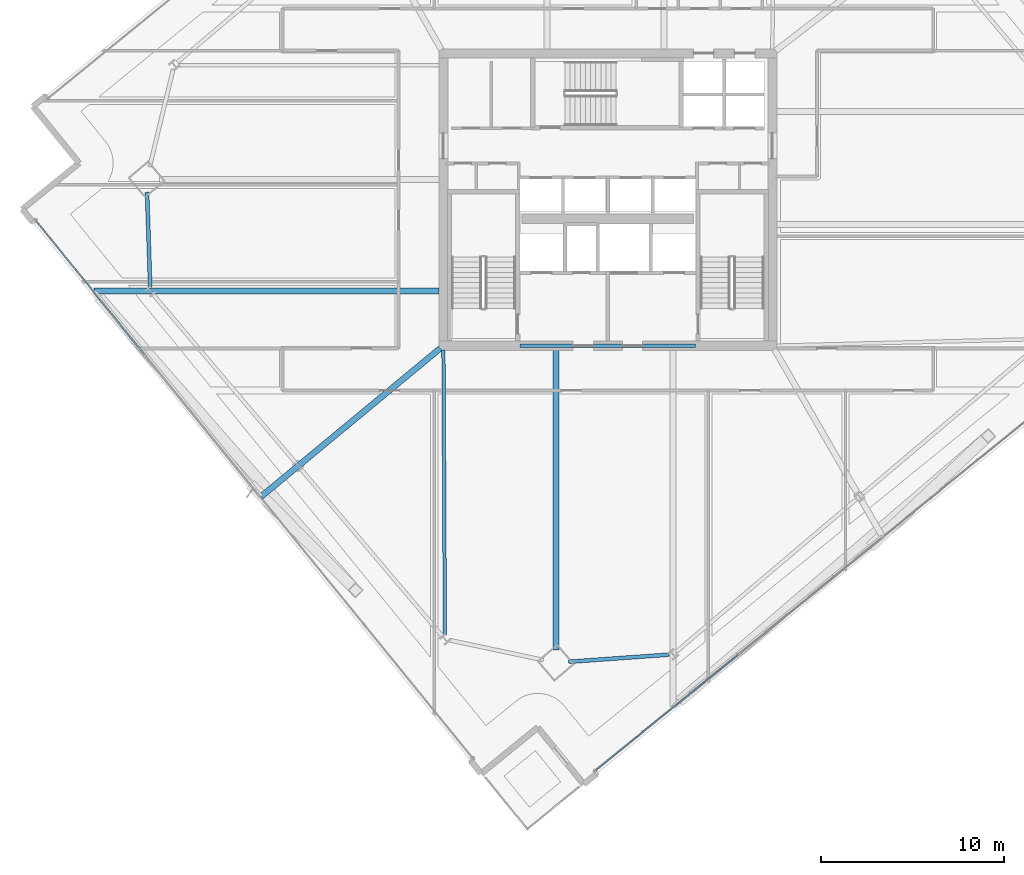
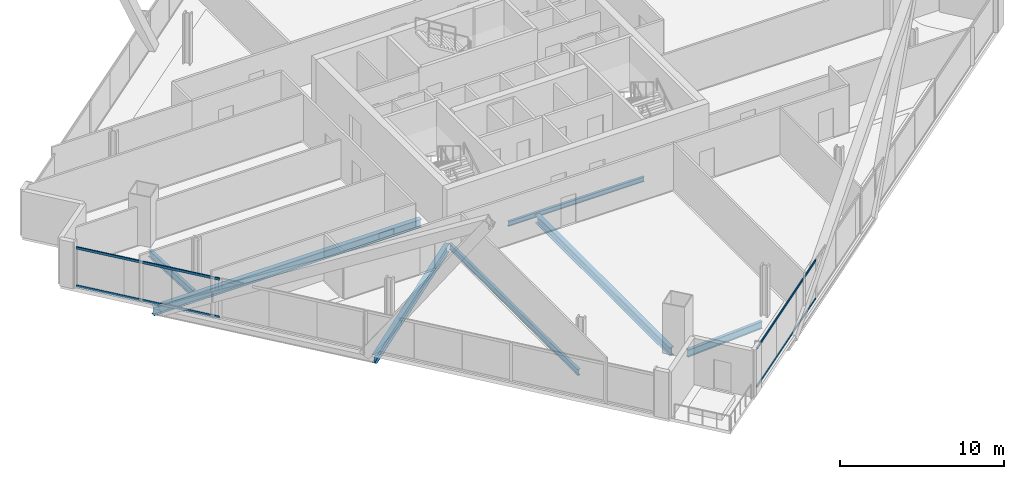
# One storey, part 5 of 36: 7 beams, 4 members, 2 elements without a shape of their own.
"""IFC4 building model written with IfcOpenShell, lengths in metres."""

from ifc_helpers import new_model, si_unit, direction, frame, origin, origin_2d, place, context, subcontext, project, spatial, hollow_rectangle, i_section, extrude, material, material_profile, profile_set, type_object, element, aggregate, save


model = new_model("IFC4")

# Units and contexts
model_context = context("Model", 3, precision=1e-05, world=origin(), true_north=direction((0.0, 1.0)))
body_context = subcontext(model_context, "Body", "Model", "MODEL_VIEW")
ifc_project = project(units=[si_unit("LENGTHUNIT", "METRE"), si_unit("AREAUNIT", "SQUARE_METRE"), si_unit("VOLUMEUNIT", "CUBIC_METRE"), si_unit("PLANEANGLEUNIT", "RADIAN"), si_unit("MASSUNIT", "GRAM", prefix="KILO")], contexts=[model_context])

# Site, building, storey
site_placement = place(None, origin())
site = spatial("IfcSite", under=ifc_project, at=site_placement, CompositionType="ELEMENT")
building_placement = place(site_placement, origin())
building = spatial("IfcBuilding", under=site, at=building_placement, Name="Haldenkirk Collegiate Tower", CompositionType="ELEMENT")
storey_placement = place(building_placement, frame((0.0, 0.0, 159.449951171875)))
storey = spatial("IfcBuildingStorey", under=building, at=storey_placement, Name="L39", CompositionType="ELEMENT", Elevation=159.449951171875)

# Beams
ifc_material_1 = material(Name="Steel ASTM A992 Grade 50", Category="steel")
ifc_material_profile_1 = material_profile(ifc_material_1, i_section(OverallWidth=0.324951171875, OverallDepth=0.615966796875, WebThickness=0.013916015625, FlangeThickness=0.021484375, at=origin_2d()), Name="W24X117")
ifc_profile_set_1 = profile_set([ifc_material_profile_1], Name="Steel ASTM A992 Grade 50")
beam_type_1 = type_object("IfcBeamType", Name="BM-GIRDER-W24X117", PredefinedType="BEAM", material=ifc_profile_set_1)
beam_1_placement = place(storey_placement, frame((33.149169921875, 1.36279296875, -0.597900390625), z_axis=(0.0, 1.0, 0.0), x_axis=(-1.0, 0.0, 0.0)))
element("IfcBeam", 1, at=beam_1_placement, inside=storey, type_object=beam_type_1, Name="L39 primary floor girder 01", PredefinedType="BEAM", context=body_context, shape_type="SweptSolid", body=[
    extrude(i_section(OverallWidth=0.324951171875, OverallDepth=0.615966796875, WebThickness=0.013916015625, FlangeThickness=0.021484375, at=origin_2d()), origin(), (0.0, 0.0, 1.0), 16.4072265625),
])
beam_2_placement = place(storey_placement, frame((7.887939453125, 20.9833984375, -0.597900390625), z_axis=(1.0, 0.0, 0.0), x_axis=(0.0, 1.0, 0.0)))
element("IfcBeam", 2, at=beam_2_placement, inside=storey, type_object=beam_type_1, Name="L39 primary floor girder 14", PredefinedType="BEAM", context=body_context, shape_type="SweptSolid", body=[
    extrude(i_section(OverallWidth=0.324951171875, OverallDepth=0.615966796875, WebThickness=0.013916015625, FlangeThickness=0.021484375, at=origin_2d()), origin(), (0.0, 0.0, 1.0), 18.882080078125),
])
beam_3_placement = place(storey_placement, frame((17.022216796875, 9.74365234375, -0.597900390625), z_axis=(0.770430076617, 0.637524507014, 0.0), x_axis=(-0.637524507014, 0.770430076617, 0.0)))
element("IfcBeam", 3, at=beam_3_placement, inside=storey, type_object=beam_type_1, Name="L39 primary floor girder 15", PredefinedType="BEAM", context=body_context, shape_type="SweptSolid", body=[
    extrude(i_section(OverallWidth=0.324951171875, OverallDepth=0.615966796875, WebThickness=0.013916015625, FlangeThickness=0.021484375, at=origin_2d()), origin(), (0.0, 0.0, 1.0), 12.720947265625),
])
ifc_material_profile_2 = material_profile(ifc_material_1, i_section(OverallWidth=0.18994140625, OverallDepth=0.45703125, WebThickness=0.009033203125, FlangeThickness=0.014404296875, at=origin_2d()), Name="W18X50")
ifc_profile_set_2 = profile_set([ifc_material_profile_2], Name="Steel ASTM A992 Grade 50")
beam_type_2 = type_object("IfcBeamType", Name="BM-JOIST-W18X50", PredefinedType="JOIST", material=ifc_profile_set_2)
beam_4_placement = place(storey_placement, frame((27.081787109375, 2.17138671875, -0.5185546875), z_axis=(-0.005164896989, 0.999986661831, 0.0), x_axis=(-0.999986661831, -0.005164896989, 0.0)))
element("IfcBeam", 4, at=beam_4_placement, inside=storey, type_object=beam_type_2, Name="L39 composite floor joist 16", PredefinedType="JOIST", context=body_context, shape_type="SweptSolid", body=[
    extrude(i_section(OverallWidth=0.18994140625, OverallDepth=0.45703125, WebThickness=0.009033203125, FlangeThickness=0.014404296875, at=origin_2d()), origin(), (0.0, 0.0, 1.0), 15.598876953125),
])
ifc_material_profile_3 = material_profile(ifc_material_1, i_section(OverallWidth=0.1708984375, OverallDepth=0.35595703125, WebThickness=0.007080078125, FlangeThickness=0.01171875, at=origin_2d()), Name="W14X34")
ifc_profile_set_3 = profile_set([ifc_material_profile_3], Name="Steel ASTM A992 Grade 50")
beam_type_3 = type_object("IfcBeamType", Name="BM-LINTEL-W14X34", PredefinedType="LINTEL", material=ifc_profile_set_3)
beam_5_placement = place(storey_placement, frame((31.199951171875, 18.0, -0.468017578125), z_axis=(1.0, 0.0, 0.0), x_axis=(0.0, 1.0, 0.0)))
element("IfcBeam", 5, at=beam_5_placement, inside=storey, type_object=beam_type_3, Name="L39 south core coupling lintel", PredefinedType="LINTEL", context=body_context, shape_type="SweptSolid", body=[
    extrude(i_section(OverallWidth=0.1708984375, OverallDepth=0.35595703125, WebThickness=0.007080078125, FlangeThickness=0.01171875, at=origin_2d()), origin(), (0.0, 0.0, 1.0), 9.60009765625),
])
ifc_material_profile_4 = material_profile(ifc_material_1, i_section(OverallWidth=0.2119140625, OverallDepth=0.5439453125, WebThickness=0.01318359375, FlangeThickness=0.021240234375, at=origin_2d()), Name="W21X83")
ifc_profile_set_4 = profile_set([ifc_material_profile_4], Name="Steel ASTM A992 Grade 50")
beam_type_4 = type_object("IfcBeamType", Name="BM-SPANDREL-W21X83", PredefinedType="SPANDREL", material=ifc_profile_set_4)
beam_6_placement = place(storey_placement, frame((33.852294921875, 0.707763671875, -0.56201171875), z_axis=(0.997489017738, 0.070821320891, 0.0), x_axis=(-0.070821320891, 0.997489017738, 0.0)))
element("IfcBeam", 6, at=beam_6_placement, inside=storey, type_object=beam_type_4, Name="L39 perimeter spandrel beam 01", PredefinedType="SPANDREL", context=body_context, shape_type="SweptSolid", body=[
    extrude(i_section(OverallWidth=0.2119140625, OverallDepth=0.5439453125, WebThickness=0.01318359375, FlangeThickness=0.021240234375, at=origin_2d()), origin(), (0.0, 0.0, 1.0), 5.501953125),
])
beam_7_placement = place(storey_placement, frame((10.7841796875, 26.399169921875, -0.56201171875), z_axis=(0.033072037576, -0.999452970545, 0.0), x_axis=(0.999452970545, 0.033072037576, 0.0)))
element("IfcBeam", 7, at=beam_7_placement, inside=storey, type_object=beam_type_4, Name="L39 perimeter spandrel beam 13", PredefinedType="SPANDREL", context=body_context, shape_type="SweptSolid", body=[
    extrude(i_section(OverallWidth=0.2119140625, OverallDepth=0.5439453125, WebThickness=0.01318359375, FlangeThickness=0.021240234375, at=origin_2d()), origin(), (0.0, 0.0, 1.0), 5.189697265625),
])

# Curtain wall, members
ifc_material_2 = material(Name="Anodised architectural bronze aluminium", Category="aluminium")
curtain_wall_type_1 = type_object("IfcCurtainWallType", Name="CW-SYS2-CONCAVE", PredefinedType="USERDEFINED", material=ifc_material_2)
curtain_wall_1_placement = place(storey_placement, origin())
curtain_wall_1 = element("IfcCurtainWall", 8, at=curtain_wall_1_placement, inside=storey, type_object=curtain_wall_type_1, Name="L39 South concave recessed bronze-anodised curtain wall", ObjectType="UNITISED CURTAIN WALL", PredefinedType="USERDEFINED")
ifc_material_profile_5 = material_profile(ifc_material_2, hollow_rectangle(XDim=0.074951171875, YDim=0.159912109375, WallThickness=0.0048828125, at=origin_2d()), Name="CW-TRN-02")
ifc_profile_set_5 = profile_set([ifc_material_profile_5], Name="Anodised architectural bronze aluminium")
member_type_1 = type_object("IfcMemberType", Name="CW-TRN-02", PredefinedType="USERDEFINED", material=ifc_profile_set_5)
member_1_placement = place(storey_placement, frame((43.11669921875, 1.089599609375, 0.03759765625), z_axis=(-0.776050012293, -0.630671371176, 0.0), x_axis=(0.630671371176, -0.776050012293, 0.0)))
member_1 = element("IfcMember", 9, at=member_1_placement, type_object=member_type_1, Name="CW-02 transom 4.1", ObjectType="TRANSOM", PredefinedType="USERDEFINED", context=body_context, shape_type="SweptSolid", body=[
    extrude(hollow_rectangle(XDim=0.074951171875, YDim=0.159912109375, WallThickness=0.0048828125, at=origin_2d()), origin(), (0.0, 0.0, 1.0), 10.037353515625),
])
member_2_placement = place(storey_placement, frame((43.11669921875, 1.089599609375, 2.87353515625), z_axis=(-0.776050012293, -0.630671371176, 0.0), x_axis=(0.630671371176, -0.776050012293, 0.0)))
member_2 = element("IfcMember", 10, at=member_2_placement, type_object=member_type_1, Name="CW-02 transom 4.2", ObjectType="TRANSOM", PredefinedType="USERDEFINED", context=body_context, shape_type="SweptSolid", body=[
    extrude(hollow_rectangle(XDim=0.074951171875, YDim=0.159912109375, WallThickness=0.0048828125, at=origin_2d()), origin(), (0.0, 0.0, 1.0), 10.037353515625),
])
aggregate(curtain_wall_1, [member_1, member_2])

curtain_wall_type_2 = type_object("IfcCurtainWallType", Name="CW-SYS1-CONVEX-LOW", PredefinedType="USERDEFINED", material=ifc_material_2)
curtain_wall_2_placement = place(storey_placement, origin())
curtain_wall_2 = element("IfcCurtainWall", 11, at=curtain_wall_2_placement, inside=storey, type_object=curtain_wall_type_2, Name="L39 Lower tower convex bronze-framed unitised curtain wall", ObjectType="UNITISED CURTAIN WALL", PredefinedType="USERDEFINED")
ifc_material_profile_6 = material_profile(ifc_material_2, hollow_rectangle(XDim=0.080078125, YDim=0.179931640625, WallThickness=0.0048828125, at=origin_2d()), Name="CW-TRN-1A")
ifc_profile_set_6 = profile_set([ifc_material_profile_6], Name="Anodised architectural bronze aluminium")
member_type_2 = type_object("IfcMemberType", Name="CW-TRN-1A", PredefinedType="USERDEFINED", material=ifc_profile_set_6)
member_3_placement = place(storey_placement, frame((10.629638671875, 17.54638671875, 0.0400390625), z_axis=(-0.630678849667, 0.776043934699, 0.0), x_axis=(-0.776043934699, -0.630678849667, 0.0)))
member_3 = element("IfcMember", 12, at=member_3_placement, type_object=member_type_2, Name="CW-1A transom 4.1", ObjectType="TRANSOM", PredefinedType="USERDEFINED", context=body_context, shape_type="SweptSolid", body=[
    extrude(hollow_rectangle(XDim=0.080078125, YDim=0.179931640625, WallThickness=0.0048828125, at=origin_2d()), origin(), (0.0, 0.0, 1.0), 9.380126953125),
])
member_4_placement = place(storey_placement, frame((10.629638671875, 17.54638671875, 2.87109375), z_axis=(-0.630678849667, 0.776043934699, 0.0), x_axis=(-0.776043934699, -0.630678849667, 0.0)))
member_4 = element("IfcMember", 13, at=member_4_placement, type_object=member_type_2, Name="CW-1A transom 4.2", ObjectType="TRANSOM", PredefinedType="USERDEFINED", context=body_context, shape_type="SweptSolid", body=[
    extrude(hollow_rectangle(XDim=0.080078125, YDim=0.179931640625, WallThickness=0.0048828125, at=origin_2d()), origin(), (0.0, 0.0, 1.0), 9.380126953125),
])
aggregate(curtain_wall_2, [member_3, member_4])

save(model, "model.ifc")
